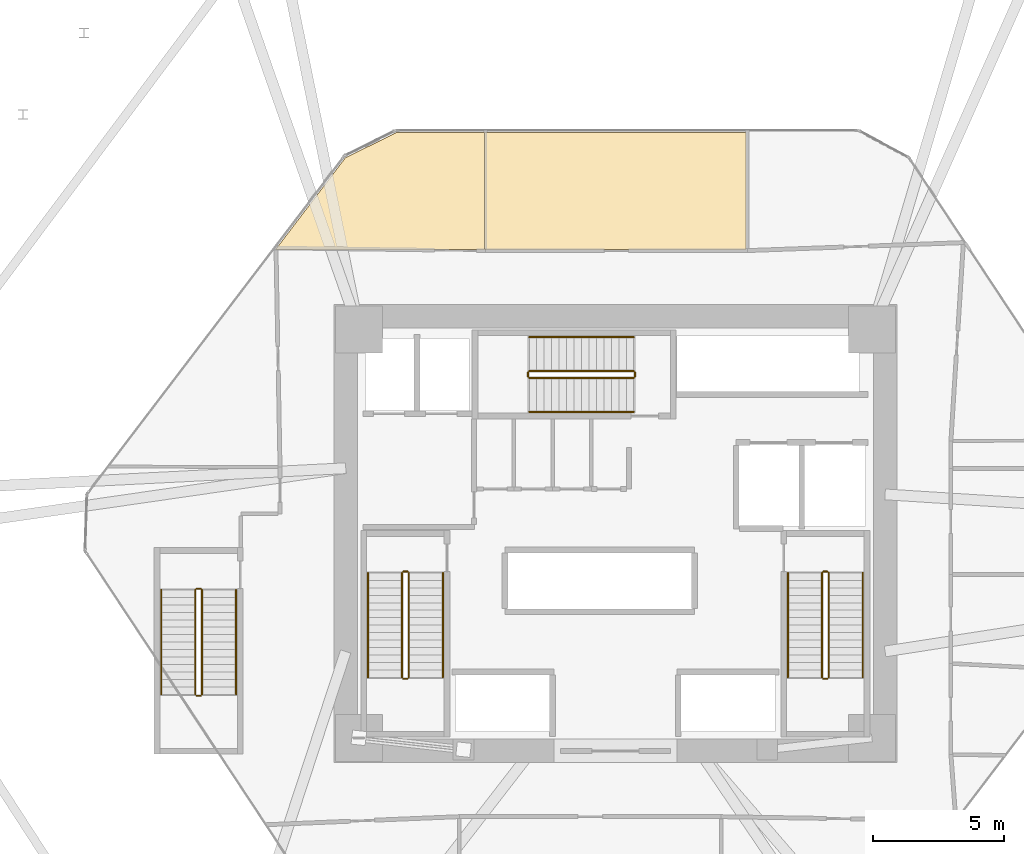
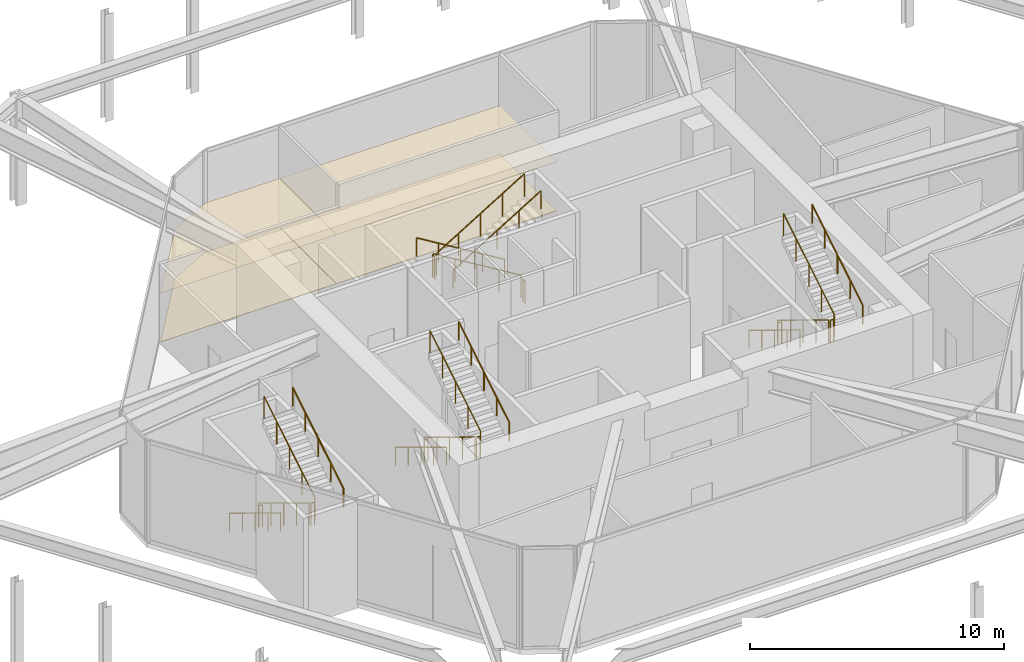
# One storey, part 16 of 16: 24 railings, 4 coverings.
"""IFC4 building model written with IfcOpenShell, lengths in metres."""

from ifc_helpers import new_model, si_unit, direction, frame, origin, origin_2d, place, context, subcontext, project, spatial, polyline, circle, outline, extrude, material, layer, layer_set, type_object, element, save


model = new_model("IFC4")

# Units and contexts
model_context = context("Model", 3, precision=1e-05, world=origin(), true_north=direction((0.0, 1.0)))
body_context = subcontext(model_context, "Body", "Model", "MODEL_VIEW")
ifc_project = project(units=[si_unit("LENGTHUNIT", "METRE"), si_unit("AREAUNIT", "SQUARE_METRE"), si_unit("VOLUMEUNIT", "CUBIC_METRE"), si_unit("PLANEANGLEUNIT", "RADIAN"), si_unit("MASSUNIT", "GRAM", prefix="KILO")], contexts=[model_context])

# Site, building, storey
site_placement = place(None, origin())
site = spatial("IfcSite", under=ifc_project, at=site_placement, CompositionType="ELEMENT")
building_placement = place(site_placement, origin())
building = spatial("IfcBuilding", under=site, at=building_placement, Name="Durnholm Broadcast Tower", CompositionType="ELEMENT")
storey_placement = place(building_placement, frame((0.0, 0.0, 5.199951171875)))
storey = spatial("IfcBuildingStorey", under=building, at=storey_placement, Name="L01", CompositionType="ELEMENT", Elevation=5.199951171875)

# Coverings
ifc_material_1 = material(Name="Mineral Fiber Acoustic Ceiling Tile", Category="concrete")
ifc_layer_1 = layer(ifc_material_1, 0.02490234375)
ifc_layer_set_1 = layer_set([ifc_layer_1], Name="Mineral Fiber Acoustic Ceiling Tile")
covering_type_1 = type_object("IfcCoveringType", Name="COV-CEIL-AC", PredefinedType="CEILING", material=ifc_layer_set_1)
covering_1_placement = place(storey_placement, frame((0.0, 0.0, 2.35009765625)))
element("IfcCovering", 1, at=covering_1_placement, inside=storey, type_object=covering_type_1, Name="L01 Mezzanine Broadcast Hall acoustic ceiling", PredefinedType="CEILING", context=body_context, shape_type="SweptSolid", body=[
    extrude(outline(polyline([(-12.978515625, 10.85498046875), (-5.0048828125, 10.85498046875), (-5.0048828125, 15.31494140625), (-8.3798828125, 15.31494140625), (-10.315185546875, 14.35546875), (-12.978515625, 10.85498046875)])), origin(), (0.0, 0.0, 1.0), 0.02490234375),
])
covering_2_placement = place(storey_placement, frame((0.0, 0.0, 2.35009765625)))
element("IfcCovering", 2, at=covering_2_placement, inside=storey, type_object=covering_type_1, Name="L01 Master Control Viewing Lounge acoustic ceiling", PredefinedType="CEILING", context=body_context, shape_type="SweptSolid", body=[
    extrude(outline(polyline([(-4.9951171875, 15.31494140625), (-4.9951171875, 10.85498046875), (4.9951171875, 10.85498046875), (4.9951171875, 15.31494140625), (-4.9951171875, 15.31494140625)])), origin(), (0.0, 0.0, 1.0), 0.02490234375),
])
ifc_material_2 = material(Name="Engineered Oak Acoustic Broadcast Flooring", Category="wood")
ifc_layer_2 = layer(ifc_material_2, 0.02001953125)
ifc_layer_set_2 = layer_set([ifc_layer_2], Name="Engineered Oak Acoustic Broadcast Flooring")
covering_type_2 = type_object("IfcCoveringType", Name="COV-FLR-OAK", PredefinedType="FLOORING", material=ifc_layer_set_2)
covering_3_placement = place(storey_placement, origin())
element("IfcCovering", 3, at=covering_3_placement, inside=storey, type_object=covering_type_2, Name="L01 Mezzanine Broadcast Hall acoustic oak flooring", PredefinedType="FLOORING", context=body_context, shape_type="SweptSolid", body=[
    extrude(outline(polyline([(-12.978515625, 10.85498046875), (-5.0048828125, 10.85498046875), (-5.0048828125, 15.31494140625), (-8.3798828125, 15.31494140625), (-10.315185546875, 14.35546875), (-12.978515625, 10.85498046875)])), origin(), (0.0, 0.0, 1.0), 0.02001953125),
])
covering_4_placement = place(storey_placement, origin())
element("IfcCovering", 4, at=covering_4_placement, inside=storey, type_object=covering_type_2, Name="L01 Master Control Viewing Lounge acoustic oak flooring", PredefinedType="FLOORING", context=body_context, shape_type="SweptSolid", body=[
    extrude(outline(polyline([(-4.9951171875, 15.31494140625), (-4.9951171875, 10.85498046875), (4.9951171875, 10.85498046875), (4.9951171875, 15.31494140625), (-4.9951171875, 15.31494140625)])), origin(), (0.0, 0.0, 1.0), 0.02001953125),
])

# Railings
ifc_material_3 = material(Name="Painted Tubular Steel Stair Guardrail", Category="steel")
railing_type_1 = type_object("IfcRailingType", Name="RAIL-ST-GRD", PredefinedType="GUARDRAIL", material=ifc_material_3)
railing_1_placement = place(storey_placement, frame((-8.14990234375, -1.5, 0.17333984375)))
element("IfcRailing", 5, at=railing_1_placement, inside=storey, type_object=railing_type_1, Name="L01 ST-1 stair guard 1", PredefinedType="GUARDRAIL", context=body_context, shape_type="SweptSolid", body=[
    extrude(circle(Radius=0.02392578125, at=origin_2d()), frame((0.0, 0.0, 1.076171875), z_axis=(0.0, -0.854382233033, 0.519645071061), x_axis=(1.0, 0.0, 0.0)), (0.0, 0.0, 1.0), 4.669921875),
    extrude(circle(Radius=0.02099609375, at=origin_2d()), origin(), (0.0, 0.0, 1.0), 1.052001953125),
    extrude(circle(Radius=0.02099609375, at=origin_2d()), frame((0.0, -0.99755859375, 0.606689453125)), (0.0, 0.0, 1.0), 1.052001953125),
    extrude(circle(Radius=0.02099609375, at=origin_2d()), frame((0.0, -1.9951171875, 1.21337890625)), (0.0, 0.0, 1.0), 1.052001953125),
    extrude(circle(Radius=0.02099609375, at=origin_2d()), frame((0.0, -2.992431640625, 1.820068359375)), (0.0, 0.0, 1.0), 1.052001953125),
    extrude(circle(Radius=0.02099609375, at=origin_2d()), frame((0.0, -3.989990234375, 2.4267578125)), (0.0, 0.0, 1.0), 1.052001953125),
])
railing_2_placement = place(storey_placement, frame((-8.10009765625, -5.5400390625, 2.60009765625)))
element("IfcRailing", 6, at=railing_2_placement, inside=storey, type_object=railing_type_1, Name="L01 ST-1 stair guard 2", PredefinedType="GUARDRAIL", context=body_context, shape_type="SweptSolid", body=[
    extrude(circle(Radius=0.02392578125, at=origin_2d()), frame((0.0, 0.0, 1.076171875), z_axis=(1.0, 0.0, 0.0), x_axis=(0.0, 1.0, 0.0)), (0.0, 0.0, 1.0), 0.16015625),
    extrude(circle(Radius=0.02099609375, at=origin_2d()), origin(), (0.0, 0.0, 1.0), 1.052001953125),
    extrude(circle(Radius=0.02099609375, at=origin_2d()), frame((0.16015625, 0.0, 0.0)), (0.0, 0.0, 1.0), 1.052001953125),
])
railing_3_placement = place(storey_placement, frame((-7.889892578125, -5.489990234375, 2.7734375)))
element("IfcRailing", 7, at=railing_3_placement, inside=storey, type_object=railing_type_1, Name="L01 ST-1 stair guard 3", PredefinedType="GUARDRAIL", context=body_context, shape_type="SweptSolid", body=[
    extrude(circle(Radius=0.02392578125, at=origin_2d()), frame((0.0, 0.0, 1.076171875), z_axis=(0.0, 0.854405443041, 0.519606908058), x_axis=(-1.0, 0.0, 0.0)), (0.0, 0.0, 1.0), 4.669921875),
    extrude(circle(Radius=0.02099609375, at=origin_2d()), origin(), (0.0, 0.0, 1.0), 1.052001953125),
    extrude(circle(Radius=0.02099609375, at=origin_2d()), frame((0.0, 0.99755859375, 0.606689453125)), (0.0, 0.0, 1.0), 1.052001953125),
    extrude(circle(Radius=0.02099609375, at=origin_2d()), frame((0.0, 1.9951171875, 1.21337890625)), (0.0, 0.0, 1.0), 1.052001953125),
    extrude(circle(Radius=0.02099609375, at=origin_2d()), frame((0.0, 2.992431640625, 1.81982421875)), (0.0, 0.0, 1.0), 1.052001953125),
    extrude(circle(Radius=0.02099609375, at=origin_2d()), frame((0.0, 3.989990234375, 2.426513671875)), (0.0, 0.0, 1.0), 1.052001953125),
])
railing_4_placement = place(storey_placement, frame((-8.10009765625, -1.449951171875, 0.0)))
element("IfcRailing", 8, at=railing_4_placement, inside=storey, type_object=railing_type_1, Name="L01 ST-1 stair guard 4", PredefinedType="GUARDRAIL", context=body_context, shape_type="SweptSolid", body=[
    extrude(circle(Radius=0.02392578125, at=origin_2d()), frame((0.0, 0.0, 1.076171875), z_axis=(1.0, 0.0, 0.0), x_axis=(0.0, 1.0, 0.0)), (0.0, 0.0, 1.0), 0.16015625),
    extrude(circle(Radius=0.02099609375, at=origin_2d()), origin(), (0.0, 0.0, 1.0), 1.052001953125),
    extrude(circle(Radius=0.02099609375, at=origin_2d()), frame((0.16015625, 0.0, 0.0)), (0.0, 0.0, 1.0), 1.052001953125),
])
railing_5_placement = place(storey_placement, frame((7.889892578125, -1.5, 0.17333984375)))
element("IfcRailing", 9, at=railing_5_placement, inside=storey, type_object=railing_type_1, Name="L01 ST-2 stair guard 1", PredefinedType="GUARDRAIL", context=body_context, shape_type="SweptSolid", body=[
    extrude(circle(Radius=0.02392578125, at=origin_2d()), frame((0.0, 0.0, 1.076171875), z_axis=(0.0, -0.854382233033, 0.519645071061), x_axis=(1.0, 0.0, 0.0)), (0.0, 0.0, 1.0), 4.669921875),
    extrude(circle(Radius=0.02099609375, at=origin_2d()), origin(), (0.0, 0.0, 1.0), 1.052001953125),
    extrude(circle(Radius=0.02099609375, at=origin_2d()), frame((0.0, -0.99755859375, 0.606689453125)), (0.0, 0.0, 1.0), 1.052001953125),
    extrude(circle(Radius=0.02099609375, at=origin_2d()), frame((0.0, -1.9951171875, 1.21337890625)), (0.0, 0.0, 1.0), 1.052001953125),
    extrude(circle(Radius=0.02099609375, at=origin_2d()), frame((0.0, -2.992431640625, 1.820068359375)), (0.0, 0.0, 1.0), 1.052001953125),
    extrude(circle(Radius=0.02099609375, at=origin_2d()), frame((0.0, -3.989990234375, 2.4267578125)), (0.0, 0.0, 1.0), 1.052001953125),
])
railing_6_placement = place(storey_placement, frame((7.93994140625, -5.5400390625, 2.60009765625)))
element("IfcRailing", 10, at=railing_6_placement, inside=storey, type_object=railing_type_1, Name="L01 ST-2 stair guard 2", PredefinedType="GUARDRAIL", context=body_context, shape_type="SweptSolid", body=[
    extrude(circle(Radius=0.02392578125, at=origin_2d()), frame((0.0, 0.0, 1.076171875), z_axis=(1.0, 0.0, 0.0), x_axis=(0.0, 1.0, 0.0)), (0.0, 0.0, 1.0), 0.16015625),
    extrude(circle(Radius=0.02099609375, at=origin_2d()), origin(), (0.0, 0.0, 1.0), 1.052001953125),
    extrude(circle(Radius=0.02099609375, at=origin_2d()), frame((0.16015625, 0.0, 0.0)), (0.0, 0.0, 1.0), 1.052001953125),
])
railing_7_placement = place(storey_placement, frame((8.14990234375, -5.489990234375, 2.7734375)))
element("IfcRailing", 11, at=railing_7_placement, inside=storey, type_object=railing_type_1, Name="L01 ST-2 stair guard 3", PredefinedType="GUARDRAIL", context=body_context, shape_type="SweptSolid", body=[
    extrude(circle(Radius=0.02392578125, at=origin_2d()), frame((0.0, 0.0, 1.076171875), z_axis=(0.0, 0.854405443041, 0.519606908058), x_axis=(-1.0, 0.0, 0.0)), (0.0, 0.0, 1.0), 4.669921875),
    extrude(circle(Radius=0.02099609375, at=origin_2d()), origin(), (0.0, 0.0, 1.0), 1.052001953125),
    extrude(circle(Radius=0.02099609375, at=origin_2d()), frame((0.0, 0.99755859375, 0.606689453125)), (0.0, 0.0, 1.0), 1.052001953125),
    extrude(circle(Radius=0.02099609375, at=origin_2d()), frame((0.0, 1.9951171875, 1.21337890625)), (0.0, 0.0, 1.0), 1.052001953125),
    extrude(circle(Radius=0.02099609375, at=origin_2d()), frame((0.0, 2.992431640625, 1.81982421875)), (0.0, 0.0, 1.0), 1.052001953125),
    extrude(circle(Radius=0.02099609375, at=origin_2d()), frame((0.0, 3.989990234375, 2.426513671875)), (0.0, 0.0, 1.0), 1.052001953125),
])
railing_8_placement = place(storey_placement, frame((7.93994140625, -1.449951171875, 0.0)))
element("IfcRailing", 12, at=railing_8_placement, inside=storey, type_object=railing_type_1, Name="L01 ST-2 stair guard 4", PredefinedType="GUARDRAIL", context=body_context, shape_type="SweptSolid", body=[
    extrude(circle(Radius=0.02392578125, at=origin_2d()), frame((0.0, 0.0, 1.076171875), z_axis=(1.0, 0.0, 0.0), x_axis=(0.0, 1.0, 0.0)), (0.0, 0.0, 1.0), 0.16015625),
    extrude(circle(Radius=0.02099609375, at=origin_2d()), origin(), (0.0, 0.0, 1.0), 1.052001953125),
    extrude(circle(Radius=0.02099609375, at=origin_2d()), frame((0.16015625, 0.0, 0.0)), (0.0, 0.0, 1.0), 1.052001953125),
])
railing_9_placement = place(storey_placement, frame((0.699951171875, 6.2099609375, 0.17333984375)))
element("IfcRailing", 13, at=railing_9_placement, inside=storey, type_object=railing_type_1, Name="L01 ST-3 stair guard 1", PredefinedType="GUARDRAIL", context=body_context, shape_type="SweptSolid", body=[
    extrude(circle(Radius=0.02392578125, at=origin_2d()), frame((0.0, 0.0, 1.076171875), z_axis=(-0.854382233033, 0.0, 0.519645071061), x_axis=(0.0, -1.0, 0.0)), (0.0, 0.0, 1.0), 4.669921875),
    extrude(circle(Radius=0.02099609375, at=origin_2d()), origin(), (0.0, 0.0, 1.0), 1.052001953125),
    extrude(circle(Radius=0.02099609375, at=origin_2d()), frame((-0.99755859375, 0.0, 0.606689453125)), (0.0, 0.0, 1.0), 1.052001953125),
    extrude(circle(Radius=0.02099609375, at=origin_2d()), frame((-1.9951171875, 0.0, 1.21337890625)), (0.0, 0.0, 1.0), 1.052001953125),
    extrude(circle(Radius=0.02099609375, at=origin_2d()), frame((-2.992431640625, 0.0, 1.820068359375)), (0.0, 0.0, 1.0), 1.052001953125),
    extrude(circle(Radius=0.02099609375, at=origin_2d()), frame((-3.989990234375, 0.0, 2.4267578125)), (0.0, 0.0, 1.0), 1.052001953125),
])
railing_10_placement = place(storey_placement, frame((-3.340087890625, 6.159912109375, 2.60009765625)))
element("IfcRailing", 14, at=railing_10_placement, inside=storey, type_object=railing_type_1, Name="L01 ST-3 stair guard 2", PredefinedType="GUARDRAIL", context=body_context, shape_type="SweptSolid", body=[
    extrude(circle(Radius=0.02392578125, at=origin_2d()), frame((0.0, 0.0, 1.076171875), z_axis=(0.0, -1.0, 0.0), x_axis=(1.0, 0.0, 0.0)), (0.0, 0.0, 1.0), 0.159912109375),
    extrude(circle(Radius=0.02099609375, at=origin_2d()), origin(), (0.0, 0.0, 1.0), 1.052001953125),
    extrude(circle(Radius=0.02099609375, at=origin_2d()), frame((0.0, -0.159912109375, 0.0)), (0.0, 0.0, 1.0), 1.052001953125),
])
railing_11_placement = place(storey_placement, frame((-3.2900390625, 5.949951171875, 2.7734375)))
element("IfcRailing", 15, at=railing_11_placement, inside=storey, type_object=railing_type_1, Name="L01 ST-3 stair guard 3", PredefinedType="GUARDRAIL", context=body_context, shape_type="SweptSolid", body=[
    extrude(circle(Radius=0.02392578125, at=origin_2d()), frame((0.0, 0.0, 1.076171875), z_axis=(0.854405443041, 0.0, 0.519606908058), x_axis=(0.0, 1.0, 0.0)), (0.0, 0.0, 1.0), 4.669921875),
    extrude(circle(Radius=0.02099609375, at=origin_2d()), origin(), (0.0, 0.0, 1.0), 1.052001953125),
    extrude(circle(Radius=0.02099609375, at=origin_2d()), frame((0.99755859375, 0.0, 0.606689453125)), (0.0, 0.0, 1.0), 1.052001953125),
    extrude(circle(Radius=0.02099609375, at=origin_2d()), frame((1.9951171875, 0.0, 1.21337890625)), (0.0, 0.0, 1.0), 1.052001953125),
    extrude(circle(Radius=0.02099609375, at=origin_2d()), frame((2.992431640625, 0.0, 1.81982421875)), (0.0, 0.0, 1.0), 1.052001953125),
    extrude(circle(Radius=0.02099609375, at=origin_2d()), frame((3.989990234375, 0.0, 2.426513671875)), (0.0, 0.0, 1.0), 1.052001953125),
])
railing_12_placement = place(storey_placement, frame((0.75, 6.159912109375, 0.0)))
element("IfcRailing", 16, at=railing_12_placement, inside=storey, type_object=railing_type_1, Name="L01 ST-3 stair guard 4", PredefinedType="GUARDRAIL", context=body_context, shape_type="SweptSolid", body=[
    extrude(circle(Radius=0.02392578125, at=origin_2d()), frame((0.0, 0.0, 1.076171875), z_axis=(0.0, -1.0, 0.0), x_axis=(1.0, 0.0, 0.0)), (0.0, 0.0, 1.0), 0.159912109375),
    extrude(circle(Radius=0.02099609375, at=origin_2d()), origin(), (0.0, 0.0, 1.0), 1.052001953125),
    extrude(circle(Radius=0.02099609375, at=origin_2d()), frame((0.0, -0.159912109375, 0.0)), (0.0, 0.0, 1.0), 1.052001953125),
])
railing_13_placement = place(storey_placement, frame((-16.050048828125, -2.14990234375, 0.17333984375)))
element("IfcRailing", 17, at=railing_13_placement, inside=storey, type_object=railing_type_1, Name="L01 ST-4 stair guard 1", PredefinedType="GUARDRAIL", context=body_context, shape_type="SweptSolid", body=[
    extrude(circle(Radius=0.02392578125, at=origin_2d()), frame((0.0, 0.0, 1.076171875), z_axis=(0.0, -0.854382233033, 0.519645071061), x_axis=(1.0, 0.0, 0.0)), (0.0, 0.0, 1.0), 4.669921875),
    extrude(circle(Radius=0.02099609375, at=origin_2d()), origin(), (0.0, 0.0, 1.0), 1.052001953125),
    extrude(circle(Radius=0.02099609375, at=origin_2d()), frame((0.0, -0.99755859375, 0.606689453125)), (0.0, 0.0, 1.0), 1.052001953125),
    extrude(circle(Radius=0.02099609375, at=origin_2d()), frame((0.0, -1.9951171875, 1.21337890625)), (0.0, 0.0, 1.0), 1.052001953125),
    extrude(circle(Radius=0.02099609375, at=origin_2d()), frame((0.0, -2.992431640625, 1.820068359375)), (0.0, 0.0, 1.0), 1.052001953125),
    extrude(circle(Radius=0.02099609375, at=origin_2d()), frame((0.0, -3.989990234375, 2.4267578125)), (0.0, 0.0, 1.0), 1.052001953125),
])
railing_14_placement = place(storey_placement, frame((-16.0, -6.18994140625, 2.60009765625)))
element("IfcRailing", 18, at=railing_14_placement, inside=storey, type_object=railing_type_1, Name="L01 ST-4 stair guard 2", PredefinedType="GUARDRAIL", context=body_context, shape_type="SweptSolid", body=[
    extrude(circle(Radius=0.02392578125, at=origin_2d()), frame((0.0, 0.0, 1.076171875), z_axis=(1.0, 0.0, 0.0), x_axis=(0.0, 1.0, 0.0)), (0.0, 0.0, 1.0), 0.159912109375),
    extrude(circle(Radius=0.02099609375, at=origin_2d()), origin(), (0.0, 0.0, 1.0), 1.052001953125),
    extrude(circle(Radius=0.02099609375, at=origin_2d()), frame((0.159912109375, 0.0, 0.0)), (0.0, 0.0, 1.0), 1.052001953125),
])
railing_15_placement = place(storey_placement, frame((-15.7900390625, -6.139892578125, 2.7734375)))
element("IfcRailing", 19, at=railing_15_placement, inside=storey, type_object=railing_type_1, Name="L01 ST-4 stair guard 3", PredefinedType="GUARDRAIL", context=body_context, shape_type="SweptSolid", body=[
    extrude(circle(Radius=0.02392578125, at=origin_2d()), frame((0.0, 0.0, 1.076171875), z_axis=(0.0, 0.854405443041, 0.519606908058), x_axis=(-1.0, 0.0, 0.0)), (0.0, 0.0, 1.0), 4.669921875),
    extrude(circle(Radius=0.02099609375, at=origin_2d()), origin(), (0.0, 0.0, 1.0), 1.052001953125),
    extrude(circle(Radius=0.02099609375, at=origin_2d()), frame((0.0, 0.99755859375, 0.606689453125)), (0.0, 0.0, 1.0), 1.052001953125),
    extrude(circle(Radius=0.02099609375, at=origin_2d()), frame((0.0, 1.9951171875, 1.21337890625)), (0.0, 0.0, 1.0), 1.052001953125),
    extrude(circle(Radius=0.02099609375, at=origin_2d()), frame((0.0, 2.992431640625, 1.81982421875)), (0.0, 0.0, 1.0), 1.052001953125),
    extrude(circle(Radius=0.02099609375, at=origin_2d()), frame((0.0, 3.989990234375, 2.426513671875)), (0.0, 0.0, 1.0), 1.052001953125),
])
railing_16_placement = place(storey_placement, frame((-16.0, -2.10009765625, 0.0)))
element("IfcRailing", 20, at=railing_16_placement, inside=storey, type_object=railing_type_1, Name="L01 ST-4 stair guard 4", PredefinedType="GUARDRAIL", context=body_context, shape_type="SweptSolid", body=[
    extrude(circle(Radius=0.02392578125, at=origin_2d()), frame((0.0, 0.0, 1.076171875), z_axis=(1.0, 0.0, 0.0), x_axis=(0.0, 1.0, 0.0)), (0.0, 0.0, 1.0), 0.159912109375),
    extrude(circle(Radius=0.02099609375, at=origin_2d()), origin(), (0.0, 0.0, 1.0), 1.052001953125),
    extrude(circle(Radius=0.02099609375, at=origin_2d()), frame((0.159912109375, 0.0, 0.0)), (0.0, 0.0, 1.0), 1.052001953125),
])
ifc_material_4 = material(Name="Brushed Stainless Steel Handrail", Category="steel")
railing_type_2 = type_object("IfcRailingType", Name="RAIL-ST-HND", PredefinedType="HANDRAIL", material=ifc_material_4)
railing_17_placement = place(storey_placement, frame((-9.449951171875, -1.5, 0.3466796875)))
element("IfcRailing", 21, at=railing_17_placement, inside=storey, type_object=railing_type_2, Name="L01 ST-1 stair handrail 1", PredefinedType="HANDRAIL", context=body_context, shape_type="SweptSolid", body=[
    extrude(circle(Radius=0.02392578125, at=origin_2d()), frame((0.0, 0.0, 0.8759765625), z_axis=(0.0, -0.854382233033, 0.519645071061), x_axis=(1.0, 0.0, 0.0)), (0.0, 0.0, 1.0), 4.669921875),
    extrude(circle(Radius=0.02099609375, at=origin_2d()), origin(), (0.0, 0.0, 1.0), 0.851806640625),
    extrude(circle(Radius=0.02099609375, at=origin_2d()), frame((0.0, -0.99755859375, 0.606689453125)), (0.0, 0.0, 1.0), 0.851806640625),
    extrude(circle(Radius=0.02099609375, at=origin_2d()), frame((0.0, -1.9951171875, 1.21337890625)), (0.0, 0.0, 1.0), 0.851806640625),
    extrude(circle(Radius=0.02099609375, at=origin_2d()), frame((0.0, -2.992431640625, 1.820068359375)), (0.0, 0.0, 1.0), 0.851806640625),
    extrude(circle(Radius=0.02099609375, at=origin_2d()), frame((0.0, -3.989990234375, 2.4267578125)), (0.0, 0.0, 1.0), 0.851806640625),
])
railing_18_placement = place(storey_placement, frame((-6.590087890625, -5.489990234375, 2.94677734375)))
element("IfcRailing", 22, at=railing_18_placement, inside=storey, type_object=railing_type_2, Name="L01 ST-1 stair handrail 2", PredefinedType="HANDRAIL", context=body_context, shape_type="SweptSolid", body=[
    extrude(circle(Radius=0.02392578125, at=origin_2d()), frame((0.0, 0.0, 0.8759765625), z_axis=(0.0, 0.854405443041, 0.519606908058), x_axis=(-1.0, 0.0, 0.0)), (0.0, 0.0, 1.0), 4.669921875),
    extrude(circle(Radius=0.02099609375, at=origin_2d()), origin(), (0.0, 0.0, 1.0), 0.851806640625),
    extrude(circle(Radius=0.02099609375, at=origin_2d()), frame((0.0, 0.99755859375, 0.606689453125)), (0.0, 0.0, 1.0), 0.851806640625),
    extrude(circle(Radius=0.02099609375, at=origin_2d()), frame((0.0, 1.9951171875, 1.21337890625)), (0.0, 0.0, 1.0), 0.851806640625),
    extrude(circle(Radius=0.02099609375, at=origin_2d()), frame((0.0, 2.992431640625, 1.81982421875)), (0.0, 0.0, 1.0), 0.851806640625),
    extrude(circle(Radius=0.02099609375, at=origin_2d()), frame((0.0, 3.989990234375, 2.426513671875)), (0.0, 0.0, 1.0), 0.851806640625),
])
railing_19_placement = place(storey_placement, frame((6.590087890625, -1.5, 0.3466796875)))
element("IfcRailing", 23, at=railing_19_placement, inside=storey, type_object=railing_type_2, Name="L01 ST-2 stair handrail 1", PredefinedType="HANDRAIL", context=body_context, shape_type="SweptSolid", body=[
    extrude(circle(Radius=0.02392578125, at=origin_2d()), frame((0.0, 0.0, 0.8759765625), z_axis=(0.0, -0.854382233033, 0.519645071061), x_axis=(1.0, 0.0, 0.0)), (0.0, 0.0, 1.0), 4.669921875),
    extrude(circle(Radius=0.02099609375, at=origin_2d()), origin(), (0.0, 0.0, 1.0), 0.851806640625),
    extrude(circle(Radius=0.02099609375, at=origin_2d()), frame((0.0, -0.99755859375, 0.606689453125)), (0.0, 0.0, 1.0), 0.851806640625),
    extrude(circle(Radius=0.02099609375, at=origin_2d()), frame((0.0, -1.9951171875, 1.21337890625)), (0.0, 0.0, 1.0), 0.851806640625),
    extrude(circle(Radius=0.02099609375, at=origin_2d()), frame((0.0, -2.992431640625, 1.820068359375)), (0.0, 0.0, 1.0), 0.851806640625),
    extrude(circle(Radius=0.02099609375, at=origin_2d()), frame((0.0, -3.989990234375, 2.4267578125)), (0.0, 0.0, 1.0), 0.851806640625),
])
railing_20_placement = place(storey_placement, frame((9.449951171875, -5.489990234375, 2.94677734375)))
element("IfcRailing", 24, at=railing_20_placement, inside=storey, type_object=railing_type_2, Name="L01 ST-2 stair handrail 2", PredefinedType="HANDRAIL", context=body_context, shape_type="SweptSolid", body=[
    extrude(circle(Radius=0.02392578125, at=origin_2d()), frame((0.0, 0.0, 0.8759765625), z_axis=(0.0, 0.854405443041, 0.519606908058), x_axis=(-1.0, 0.0, 0.0)), (0.0, 0.0, 1.0), 4.669921875),
    extrude(circle(Radius=0.02099609375, at=origin_2d()), origin(), (0.0, 0.0, 1.0), 0.851806640625),
    extrude(circle(Radius=0.02099609375, at=origin_2d()), frame((0.0, 0.99755859375, 0.606689453125)), (0.0, 0.0, 1.0), 0.851806640625),
    extrude(circle(Radius=0.02099609375, at=origin_2d()), frame((0.0, 1.9951171875, 1.21337890625)), (0.0, 0.0, 1.0), 0.851806640625),
    extrude(circle(Radius=0.02099609375, at=origin_2d()), frame((0.0, 2.992431640625, 1.81982421875)), (0.0, 0.0, 1.0), 0.851806640625),
    extrude(circle(Radius=0.02099609375, at=origin_2d()), frame((0.0, 3.989990234375, 2.426513671875)), (0.0, 0.0, 1.0), 0.851806640625),
])
railing_21_placement = place(storey_placement, frame((0.699951171875, 7.510009765625, 0.3466796875)))
element("IfcRailing", 25, at=railing_21_placement, inside=storey, type_object=railing_type_2, Name="L01 ST-3 stair handrail 1", PredefinedType="HANDRAIL", context=body_context, shape_type="SweptSolid", body=[
    extrude(circle(Radius=0.02392578125, at=origin_2d()), frame((0.0, 0.0, 0.8759765625), z_axis=(-0.854382233033, 0.0, 0.519645071061), x_axis=(0.0, -1.0, 0.0)), (0.0, 0.0, 1.0), 4.669921875),
    extrude(circle(Radius=0.02099609375, at=origin_2d()), origin(), (0.0, 0.0, 1.0), 0.851806640625),
    extrude(circle(Radius=0.02099609375, at=origin_2d()), frame((-0.99755859375, 0.0, 0.606689453125)), (0.0, 0.0, 1.0), 0.851806640625),
    extrude(circle(Radius=0.02099609375, at=origin_2d()), frame((-1.9951171875, 0.0, 1.21337890625)), (0.0, 0.0, 1.0), 0.851806640625),
    extrude(circle(Radius=0.02099609375, at=origin_2d()), frame((-2.992431640625, 0.0, 1.820068359375)), (0.0, 0.0, 1.0), 0.851806640625),
    extrude(circle(Radius=0.02099609375, at=origin_2d()), frame((-3.989990234375, 0.0, 2.4267578125)), (0.0, 0.0, 1.0), 0.851806640625),
])
railing_22_placement = place(storey_placement, frame((-3.2900390625, 4.64990234375, 2.94677734375)))
element("IfcRailing", 26, at=railing_22_placement, inside=storey, type_object=railing_type_2, Name="L01 ST-3 stair handrail 2", PredefinedType="HANDRAIL", context=body_context, shape_type="SweptSolid", body=[
    extrude(circle(Radius=0.02392578125, at=origin_2d()), frame((0.0, 0.0, 0.8759765625), z_axis=(0.854405443041, 0.0, 0.519606908058), x_axis=(0.0, 1.0, 0.0)), (0.0, 0.0, 1.0), 4.669921875),
    extrude(circle(Radius=0.02099609375, at=origin_2d()), origin(), (0.0, 0.0, 1.0), 0.851806640625),
    extrude(circle(Radius=0.02099609375, at=origin_2d()), frame((0.99755859375, 0.0, 0.606689453125)), (0.0, 0.0, 1.0), 0.851806640625),
    extrude(circle(Radius=0.02099609375, at=origin_2d()), frame((1.9951171875, 0.0, 1.21337890625)), (0.0, 0.0, 1.0), 0.851806640625),
    extrude(circle(Radius=0.02099609375, at=origin_2d()), frame((2.992431640625, 0.0, 1.81982421875)), (0.0, 0.0, 1.0), 0.851806640625),
    extrude(circle(Radius=0.02099609375, at=origin_2d()), frame((3.989990234375, 0.0, 2.426513671875)), (0.0, 0.0, 1.0), 0.851806640625),
])
railing_23_placement = place(storey_placement, frame((-17.35009765625, -2.14990234375, 0.3466796875)))
element("IfcRailing", 27, at=railing_23_placement, inside=storey, type_object=railing_type_2, Name="L01 ST-4 stair handrail 1", PredefinedType="HANDRAIL", context=body_context, shape_type="SweptSolid", body=[
    extrude(circle(Radius=0.02392578125, at=origin_2d()), frame((0.0, 0.0, 0.8759765625), z_axis=(0.0, -0.854382233033, 0.519645071061), x_axis=(1.0, 0.0, 0.0)), (0.0, 0.0, 1.0), 4.669921875),
    extrude(circle(Radius=0.02099609375, at=origin_2d()), origin(), (0.0, 0.0, 1.0), 0.851806640625),
    extrude(circle(Radius=0.02099609375, at=origin_2d()), frame((0.0, -0.99755859375, 0.606689453125)), (0.0, 0.0, 1.0), 0.851806640625),
    extrude(circle(Radius=0.02099609375, at=origin_2d()), frame((0.0, -1.9951171875, 1.21337890625)), (0.0, 0.0, 1.0), 0.851806640625),
    extrude(circle(Radius=0.02099609375, at=origin_2d()), frame((0.0, -2.992431640625, 1.820068359375)), (0.0, 0.0, 1.0), 0.851806640625),
    extrude(circle(Radius=0.02099609375, at=origin_2d()), frame((0.0, -3.989990234375, 2.4267578125)), (0.0, 0.0, 1.0), 0.851806640625),
])
railing_24_placement = place(storey_placement, frame((-14.489990234375, -6.139892578125, 2.94677734375)))
element("IfcRailing", 28, at=railing_24_placement, inside=storey, type_object=railing_type_2, Name="L01 ST-4 stair handrail 2", PredefinedType="HANDRAIL", context=body_context, shape_type="SweptSolid", body=[
    extrude(circle(Radius=0.02392578125, at=origin_2d()), frame((0.0, 0.0, 0.8759765625), z_axis=(0.0, 0.854405443041, 0.519606908058), x_axis=(-1.0, 0.0, 0.0)), (0.0, 0.0, 1.0), 4.669921875),
    extrude(circle(Radius=0.02099609375, at=origin_2d()), origin(), (0.0, 0.0, 1.0), 0.851806640625),
    extrude(circle(Radius=0.02099609375, at=origin_2d()), frame((0.0, 0.99755859375, 0.606689453125)), (0.0, 0.0, 1.0), 0.851806640625),
    extrude(circle(Radius=0.02099609375, at=origin_2d()), frame((0.0, 1.9951171875, 1.21337890625)), (0.0, 0.0, 1.0), 0.851806640625),
    extrude(circle(Radius=0.02099609375, at=origin_2d()), frame((0.0, 2.992431640625, 1.81982421875)), (0.0, 0.0, 1.0), 0.851806640625),
    extrude(circle(Radius=0.02099609375, at=origin_2d()), frame((0.0, 3.989990234375, 2.426513671875)), (0.0, 0.0, 1.0), 0.851806640625),
])

save(model, "model.ifc")
